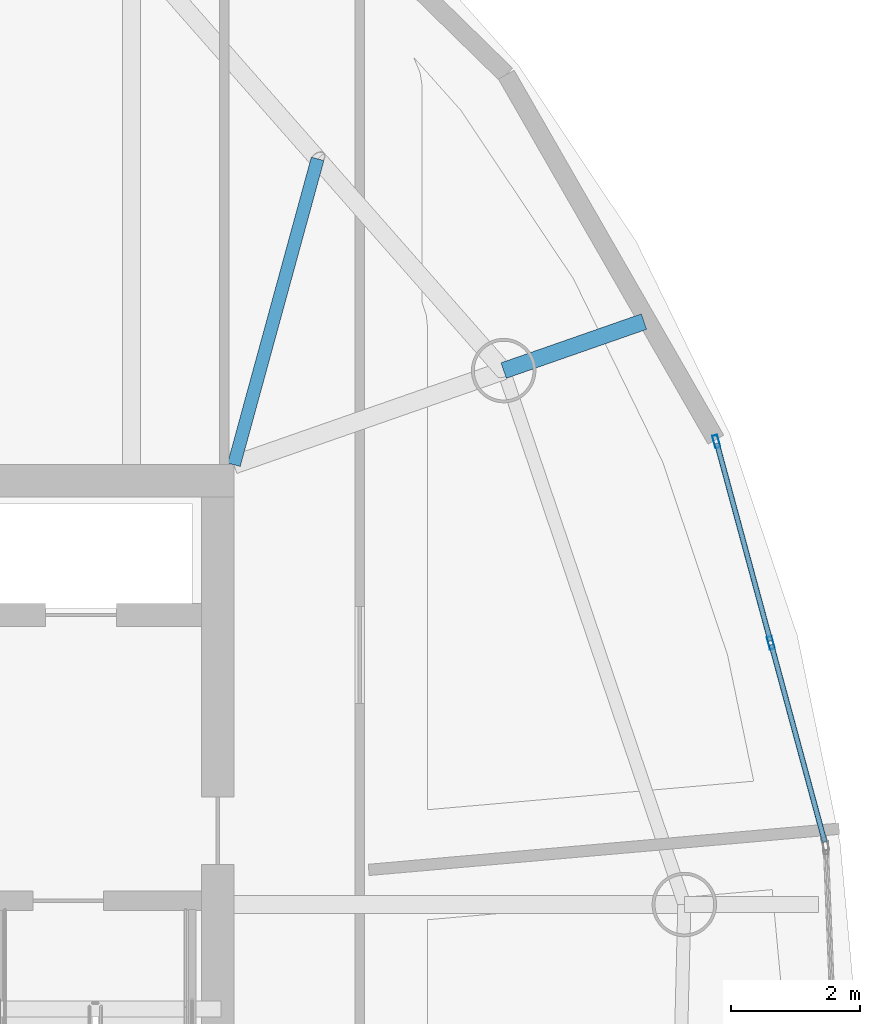
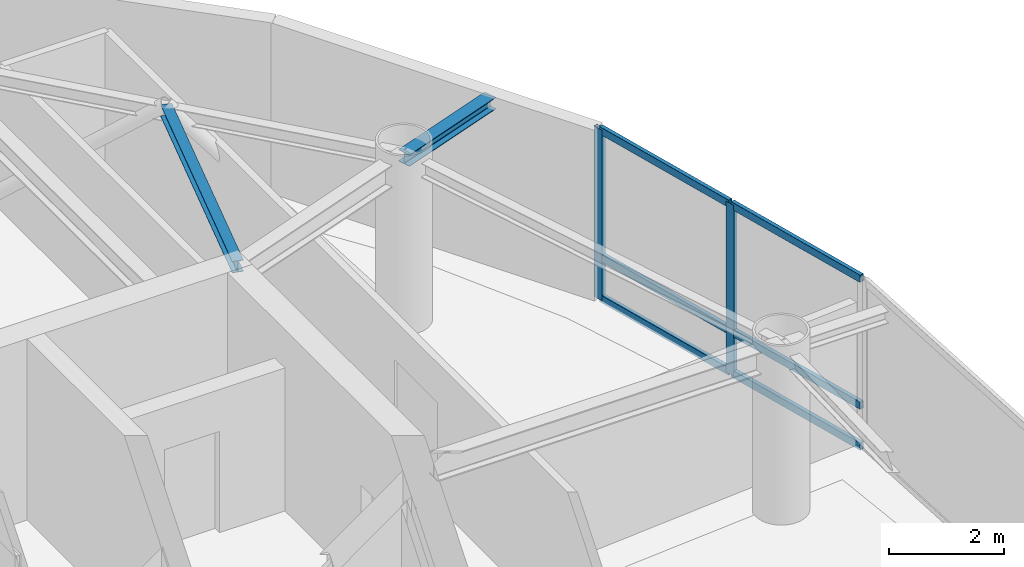
# One storey, part 10 of 20: 8 members, 2 beams, 1 element without a shape of its own.
"""IFC4 building model written with IfcOpenShell, lengths in metres."""

from ifc_helpers import new_model, si_unit, direction, frame, origin, origin_2d, place, context, subcontext, project, spatial, hollow_rectangle, i_section, extrude, material, layer, layer_set, material_profile, profile_set, type_object, element, aggregate, save


model = new_model("IFC4")

# Units and contexts
model_context = context("Model", 3, precision=1e-05, world=origin(), true_north=direction((0.0, 1.0)))
body_context = subcontext(model_context, "Body", "Model", "MODEL_VIEW")
ifc_project = project(units=[si_unit("LENGTHUNIT", "METRE"), si_unit("AREAUNIT", "SQUARE_METRE"), si_unit("VOLUMEUNIT", "CUBIC_METRE"), si_unit("PLANEANGLEUNIT", "RADIAN"), si_unit("MASSUNIT", "GRAM", prefix="KILO")], contexts=[model_context])

# Site, building, storey
site_placement = place(None, origin())
site = spatial("IfcSite", under=ifc_project, at=site_placement, CompositionType="ELEMENT")
building_placement = place(site_placement, origin())
building = spatial("IfcBuilding", under=site, at=building_placement, Name="Bramvorn Convention Spire", CompositionType="ELEMENT")
storey_placement = place(building_placement, frame((0.0, 0.0, 242.050048828125)))
storey = spatial("IfcBuildingStorey", under=building, at=storey_placement, Name="L61", CompositionType="ELEMENT", Elevation=242.050048828125)

# Beams
ifc_material_1 = material(Name="Steel CSA G40.21 Grade 350 (350W)", Category="steel")
ifc_material_profile_1 = material_profile(ifc_material_1, i_section(OverallWidth=0.201904296875, OverallDepth=0.2470703125, WebThickness=0.00732421875, FlangeThickness=0.010986328125, FilletRadius=0.011962890625, at=origin_2d()))
ifc_profile_set_1 = profile_set([ifc_material_profile_1], Name="Steel CSA G40.21 Grade 350 (350W) - W250X49")
beam_type_1 = type_object("IfcBeamType", Name="BM-W250X49", PredefinedType="JOIST", material=ifc_profile_set_1)
beam_1_placement = place(storey_placement, frame((49.25, 33.449951171875, 3.50146484375), z_axis=(0.26386506219, 0.96455960363, 0.0), x_axis=(-0.96455960363, 0.26386506219, 0.0)))
element("IfcBeam", 1, at=beam_1_placement, inside=storey, type_object=beam_type_1, Name="L61 composite floor joist 05", PredefinedType="JOIST", context=body_context, shape_type="SweptSolid", body=[
    extrude(i_section(OverallWidth=0.201904296875, OverallDepth=0.2470703125, WebThickness=0.00732421875, FlangeThickness=0.010986328125, FilletRadius=0.011962890625, at=origin_2d()), origin(), (0.0, 0.0, 1.0), 4.917724609375),
])
ifc_material_profile_2 = material_profile(ifc_material_1, i_section(OverallWidth=0.25390625, OverallDepth=0.2529296875, WebThickness=0.008544921875, FlangeThickness=0.01416015625, FilletRadius=0.011962890625, at=origin_2d()))
ifc_profile_set_2 = profile_set([ifc_material_profile_2], Name="Steel CSA G40.21 Grade 350 (350W) - W250X73")
beam_type_2 = type_object("IfcBeamType", Name="BM-W250X73", PredefinedType="BEAM", material=ifc_profile_set_2)
beam_2_placement = place(storey_placement, frame((53.4326171875, 34.909912109375, 3.45849609375), z_axis=(0.944128903329, 0.329576415872, 0.0), x_axis=(-0.329576415872, 0.944128903329, 0.0)))
element("IfcBeam", 2, at=beam_2_placement, inside=storey, type_object=beam_type_2, Name="L61 slab-edge cantilever tip beam MC05", PredefinedType="BEAM", context=body_context, shape_type="SweptSolid", body=[
    extrude(i_section(OverallWidth=0.25390625, OverallDepth=0.2529296875, WebThickness=0.008544921875, FlangeThickness=0.01416015625, FilletRadius=0.011962890625, at=origin_2d()), origin(), (0.0, 0.0, 1.0), 2.304443359375),
])

# Curtain wall, members
ifc_material_2 = material(Name="Anodised Bronze Unitised Curtain Wall", Category="aluminium")
ifc_layer = layer(ifc_material_2, 0.179931640625)
ifc_layer_set = layer_set([ifc_layer], Name="Anodised Bronze Unitised Curtain Wall - CW-OFF-FRIT")
curtain_wall_type = type_object("IfcCurtainWallType", Name="CW-OFF-FRIT", PredefinedType="USERDEFINED", material=ifc_layer_set)
curtain_wall_placement = place(storey_placement, origin())
curtain_wall = element("IfcCurtainWall", 3, at=curtain_wall_placement, inside=storey, type_object=curtain_wall_type, Name="L61 fritted glass curtain wall 05", ObjectType="UNITISED CURTAIN WALL", PredefinedType="USERDEFINED")
ifc_material_3 = material(Name="Anodised Bronze Aluminium 6063-T6", Category="aluminium")
ifc_material_profile_3 = material_profile(ifc_material_3, hollow_rectangle(XDim=0.080078125, YDim=0.199951171875, WallThickness=0.00390625, InnerFilletRadius=0.0009765625, OuterFilletRadius=0.00390625, at=origin_2d()))
ifc_profile_set_3 = profile_set([ifc_material_profile_3], Name="Anodised Bronze Aluminium 6063-T6 - CWM80X200")
member_type_1 = type_object("IfcMemberType", Name="CW-MUL-180", PredefinedType="MULLION", material=ifc_profile_set_3)
member_1_placement = place(storey_placement, frame((56.7314453125, 33.809326171875, 0.0), z_axis=(0.0, 0.0, 1.0), x_axis=(0.965277180686, 0.261227801827, 0.0)))
member_1 = element("IfcMember", 4, at=member_1_placement, type_object=member_type_1, Name="CW3 mullion 1", PredefinedType="MULLION", context=body_context, shape_type="SweptSolid", body=[
    extrude(hollow_rectangle(XDim=0.080078125, YDim=0.199951171875, WallThickness=0.00390625, InnerFilletRadius=0.0009765625, OuterFilletRadius=0.00390625, at=origin_2d()), origin(), (0.0, 0.0, 1.0), 3.625),
])
member_2_placement = place(storey_placement, frame((57.576171875, 30.6884765625, 0.0), z_axis=(0.0, 0.0, 1.0), x_axis=(0.965277180686, 0.261227801827, 0.0)))
member_2 = element("IfcMember", 5, at=member_2_placement, type_object=member_type_1, Name="CW3 mullion 2", PredefinedType="MULLION", context=body_context, shape_type="SweptSolid", body=[
    extrude(hollow_rectangle(XDim=0.080078125, YDim=0.199951171875, WallThickness=0.00390625, InnerFilletRadius=0.0009765625, OuterFilletRadius=0.00390625, at=origin_2d()), origin(), (0.0, 0.0, 1.0), 3.625),
])
ifc_material_profile_4 = material_profile(ifc_material_3, hollow_rectangle(XDim=0.080078125, YDim=0.159912109375, WallThickness=0.00390625, InnerFilletRadius=0.0009765625, OuterFilletRadius=0.00390625, at=origin_2d()))
ifc_profile_set_4 = profile_set([ifc_material_profile_4], Name="Anodised Bronze Aluminium 6063-T6 - CWT80X160")
member_type_2 = type_object("IfcMemberType", Name="CW-TRN-150", PredefinedType="USERDEFINED", material=ifc_profile_set_4)
member_3_placement = place(storey_placement, frame((56.7392578125, 33.7802734375, 0.030029296875), z_axis=(0.261300478499, -0.96525750965, 0.0), x_axis=(0.96525750965, 0.261300478499, 0.0)))
member_3 = element("IfcMember", 6, at=member_3_placement, type_object=member_type_2, Name="CW3 transom 1.1", ObjectType="TRANSOM", PredefinedType="USERDEFINED", context=body_context, shape_type="SweptSolid", body=[
    extrude(hollow_rectangle(XDim=0.080078125, YDim=0.159912109375, WallThickness=0.00390625, InnerFilletRadius=0.0009765625, OuterFilletRadius=0.00390625, at=origin_2d()), origin(), (0.0, 0.0, 1.0), 3.173095703125),
])
member_4_placement = place(storey_placement, frame((56.7392578125, 33.7802734375, 0.89990234375), z_axis=(0.261300478499, -0.96525750965, 0.0), x_axis=(0.96525750965, 0.261300478499, 0.0)))
member_4 = element("IfcMember", 7, at=member_4_placement, type_object=member_type_2, Name="CW3 transom 1.2", ObjectType="TRANSOM", PredefinedType="USERDEFINED", context=body_context, shape_type="SweptSolid", body=[
    extrude(hollow_rectangle(XDim=0.080078125, YDim=0.159912109375, WallThickness=0.00390625, InnerFilletRadius=0.0009765625, OuterFilletRadius=0.00390625, at=origin_2d()), origin(), (0.0, 0.0, 1.0), 3.173095703125),
])
member_5_placement = place(storey_placement, frame((56.7392578125, 33.7802734375, 3.594970703125), z_axis=(0.261300478499, -0.96525750965, 0.0), x_axis=(0.96525750965, 0.261300478499, 0.0)))
member_5 = element("IfcMember", 8, at=member_5_placement, type_object=member_type_2, Name="CW3 transom 1.3", ObjectType="TRANSOM", PredefinedType="USERDEFINED", context=body_context, shape_type="SweptSolid", body=[
    extrude(hollow_rectangle(XDim=0.080078125, YDim=0.159912109375, WallThickness=0.00390625, InnerFilletRadius=0.0009765625, OuterFilletRadius=0.00390625, at=origin_2d()), origin(), (0.0, 0.0, 1.0), 3.173095703125),
])
member_6_placement = place(storey_placement, frame((57.583984375, 30.65966796875, 0.030029296875), z_axis=(0.261209385328, -0.965282164456, 0.0), x_axis=(0.965282164456, 0.261209385328, 0.0)))
member_6 = element("IfcMember", 9, at=member_6_placement, type_object=member_type_2, Name="CW3 transom 2.1", ObjectType="TRANSOM", PredefinedType="USERDEFINED", context=body_context, shape_type="SweptSolid", body=[
    extrude(hollow_rectangle(XDim=0.080078125, YDim=0.159912109375, WallThickness=0.00390625, InnerFilletRadius=0.0009765625, OuterFilletRadius=0.00390625, at=origin_2d()), origin(), (0.0, 0.0, 1.0), 3.173095703125),
])
member_7_placement = place(storey_placement, frame((57.583984375, 30.65966796875, 0.89990234375), z_axis=(0.261209385328, -0.965282164456, 0.0), x_axis=(0.965282164456, 0.261209385328, 0.0)))
member_7 = element("IfcMember", 10, at=member_7_placement, type_object=member_type_2, Name="CW3 transom 2.2", ObjectType="TRANSOM", PredefinedType="USERDEFINED", context=body_context, shape_type="SweptSolid", body=[
    extrude(hollow_rectangle(XDim=0.080078125, YDim=0.159912109375, WallThickness=0.00390625, InnerFilletRadius=0.0009765625, OuterFilletRadius=0.00390625, at=origin_2d()), origin(), (0.0, 0.0, 1.0), 3.173095703125),
])
member_8_placement = place(storey_placement, frame((57.583984375, 30.65966796875, 3.594970703125), z_axis=(0.261209385328, -0.965282164456, 0.0), x_axis=(0.965282164456, 0.261209385328, 0.0)))
member_8 = element("IfcMember", 11, at=member_8_placement, type_object=member_type_2, Name="CW3 transom 2.3", ObjectType="TRANSOM", PredefinedType="USERDEFINED", context=body_context, shape_type="SweptSolid", body=[
    extrude(hollow_rectangle(XDim=0.080078125, YDim=0.159912109375, WallThickness=0.00390625, InnerFilletRadius=0.0009765625, OuterFilletRadius=0.00390625, at=origin_2d()), origin(), (0.0, 0.0, 1.0), 3.173095703125),
])
aggregate(curtain_wall, [member_1, member_2, member_3, member_4, member_5, member_6, member_7, member_8])

save(model, "model.ifc")
